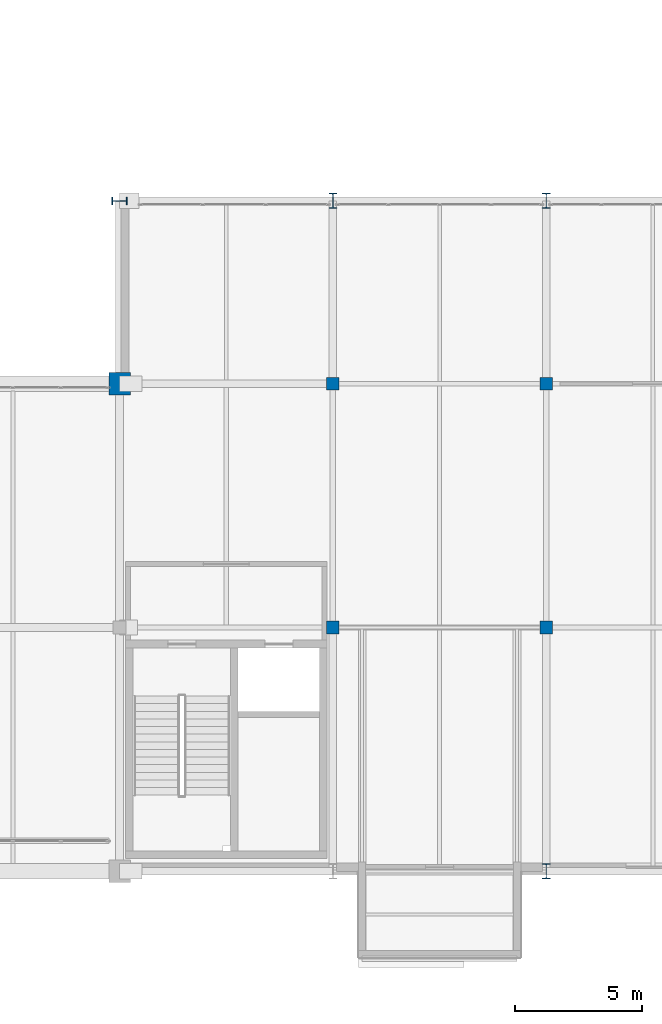
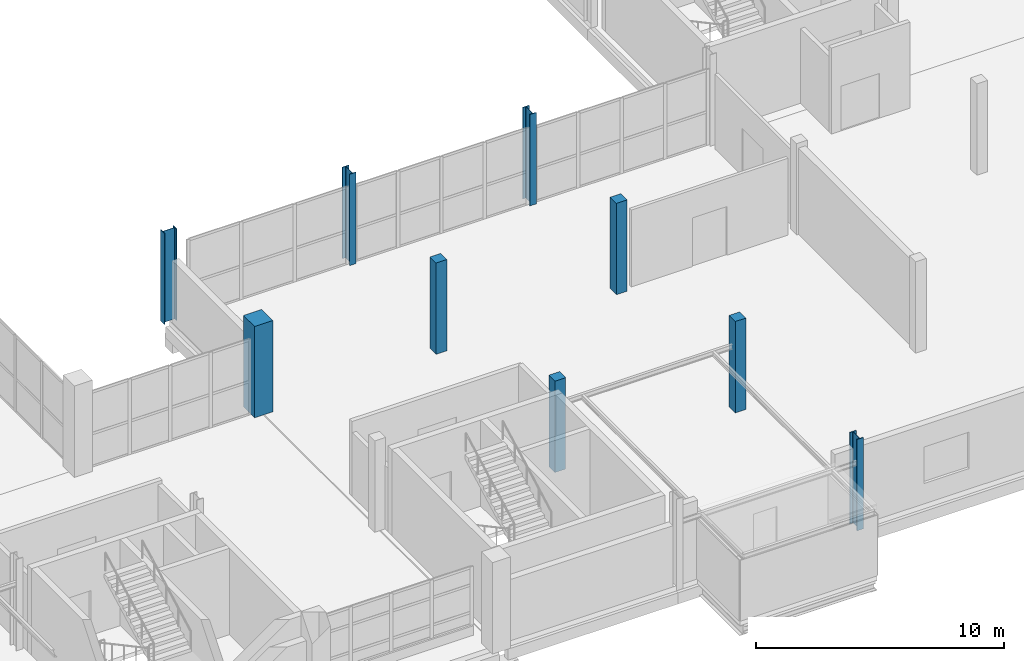
# One storey, part 5 of 109: 9 columns.
"""IFC4 building model written with IfcOpenShell, lengths in metres."""

from ifc_helpers import new_model, si_unit, direction, frame, origin, origin_2d, place, context, subcontext, project, spatial, rectangle, i_section, extrude, material, material_profile, profile_set, type_object, element, save


model = new_model("IFC4")

# Units and contexts
model_context = context("Model", 3, precision=1e-05, world=origin(), true_north=direction((0.0, 1.0)))
body_context = subcontext(model_context, "Body", "Model", "MODEL_VIEW")
ifc_project = project(units=[si_unit("LENGTHUNIT", "METRE"), si_unit("AREAUNIT", "SQUARE_METRE"), si_unit("VOLUMEUNIT", "CUBIC_METRE"), si_unit("PLANEANGLEUNIT", "RADIAN"), si_unit("MASSUNIT", "GRAM", prefix="KILO")], contexts=[model_context])

# Site, building, storey
site_placement = place(None, origin())
site = spatial("IfcSite", under=ifc_project, at=site_placement, CompositionType="ELEMENT")
building_placement = place(site_placement, origin())
building = spatial("IfcBuilding", under=site, at=building_placement, Name="Veltarok Museum of Natural Sciences", CompositionType="ELEMENT")
storey_placement = place(building_placement, frame((0.0, 0.0, 17.39990234375)))
storey = spatial("IfcBuildingStorey", under=building, at=storey_placement, Name="L03", CompositionType="ELEMENT", Elevation=17.39990234375)

# Columns
ifc_material_1 = material(Name="Concrete C40/50", Category="concrete")
ifc_material_profile_1 = material_profile(ifc_material_1, rectangle(XDim=0.85009765625, YDim=0.89990234375, at=origin_2d()), Name="RC 850x900")
ifc_profile_set_1 = profile_set([ifc_material_profile_1], Name="Concrete C40/50")
column_type_1 = type_object("IfcColumnType", Name="Exposed Cabinet Grid Column RC 850x900", PredefinedType="COLUMN", material=ifc_profile_set_1)
column_placement = place(storey_placement, frame((107.199951171875, 19.199951171875, 0.0), z_axis=(0.0, 0.0, 1.0), x_axis=(1.0, 0.0, 0.0)))
element("IfcColumn", 1, at=column_placement, inside=storey, type_object=column_type_1, Name="Column COL-CAB01 L03 13/C", PredefinedType="COLUMN", context=body_context, shape_type="SweptSolid", body=[
    extrude(rectangle(XDim=0.85009765625, YDim=0.89990234375, at=origin_2d()), origin(), (0.0, 0.0, 1.0), 4.5),
])
ifc_material_2 = material(Name="Steel S355J2", Category="steel")
ifc_material_profile_2 = material_profile(ifc_material_2, i_section(OverallWidth=0.300048828125, OverallDepth=0.60009765625, WebThickness=0.015380859375, FlangeThickness=0.030029296875, FilletRadius=0.027099609375, at=origin_2d()), Name="HEB 600")
ifc_profile_set_2 = profile_set([ifc_material_profile_2], Name="Steel S355J2")
column_type_2 = type_object("IfcColumnType", Name="Perimeter Passage Column HEB 600", PredefinedType="COLUMN", material=ifc_profile_set_2)
for number, where, z_axis, x_axis, name in (
    (2, (107.199951171875, 26.39990234375, 0.0), (0.0, 0.0, 1.0), (0.0, 1.0, 0.0), "Column COL-EXT02 L03 13/D"),
    (3, (115.60009765625, 26.39990234375, 0.0), (0.0, 0.0, 1.0), (1.0, 0.0, 0.0), "Column COL-EXT02 L03 14/D"),
    (4, (124.0, 0.0, 0.0), (0.0, 0.0, 1.0), (1.0, 0.0, 0.0), "Column COL-EXT02 L03 15/A"),
    (5, (124.0, 26.39990234375, 0.0), (0.0, 0.0, 1.0), (1.0, 0.0, 0.0), "Column COL-EXT02 L03 15/D"),
):
    element("IfcColumn", number, at=place(storey_placement, frame(where, z_axis=z_axis, x_axis=x_axis)), inside=storey, type_object=column_type_2, Name=name, PredefinedType="COLUMN", context=body_context, shape_type="SweptSolid", body=[
        extrude(i_section(OverallWidth=0.300048828125, OverallDepth=0.60009765625, WebThickness=0.015380859375, FlangeThickness=0.030029296875, FilletRadius=0.027099609375, at=origin_2d()), origin(), (0.0, 0.0, 1.0), 4.5),
    ])
ifc_material_profile_3 = material_profile(ifc_material_1, rectangle(XDim=0.5, YDim=0.5, at=origin_2d()), Name="RC 500x500")
ifc_profile_set_3 = profile_set([ifc_material_profile_3], Name="Concrete C40/50")
column_type_3 = type_object("IfcColumnType", Name="Upper Lab Column RC 500x500", PredefinedType="COLUMN", material=ifc_profile_set_3)
for number, where, z_axis, x_axis, name in (
    (6, (115.60009765625, 9.60009765625, 0.0), (0.0, 0.0, 1.0), (1.0, 0.0, 0.0), "Column COL-RC03 L03 14/B"),
    (7, (115.60009765625, 19.199951171875, 0.0), (0.0, 0.0, 1.0), (1.0, 0.0, 0.0), "Column COL-RC03 L03 14/C"),
    (8, (124.0, 9.60009765625, 0.0), (0.0, 0.0, 1.0), (1.0, 0.0, 0.0), "Column COL-RC03 L03 15/B"),
    (9, (124.0, 19.199951171875, 0.0), (0.0, 0.0, 1.0), (1.0, 0.0, 0.0), "Column COL-RC03 L03 15/C"),
):
    element("IfcColumn", number, at=place(storey_placement, frame(where, z_axis=z_axis, x_axis=x_axis)), inside=storey, type_object=column_type_3, Name=name, PredefinedType="COLUMN", context=body_context, shape_type="SweptSolid", body=[
        extrude(rectangle(XDim=0.5, YDim=0.5, at=origin_2d()), origin(), (0.0, 0.0, 1.0), 4.5),
    ])

save(model, "model.ifc")
